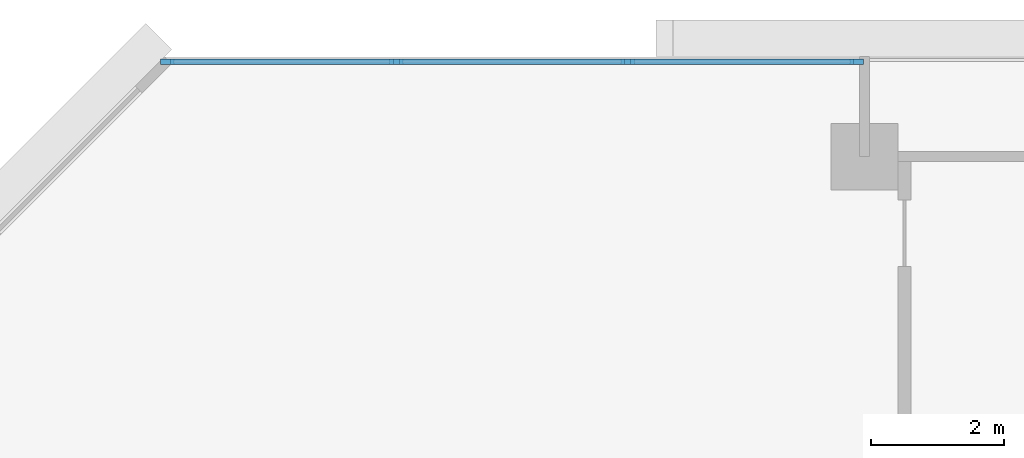
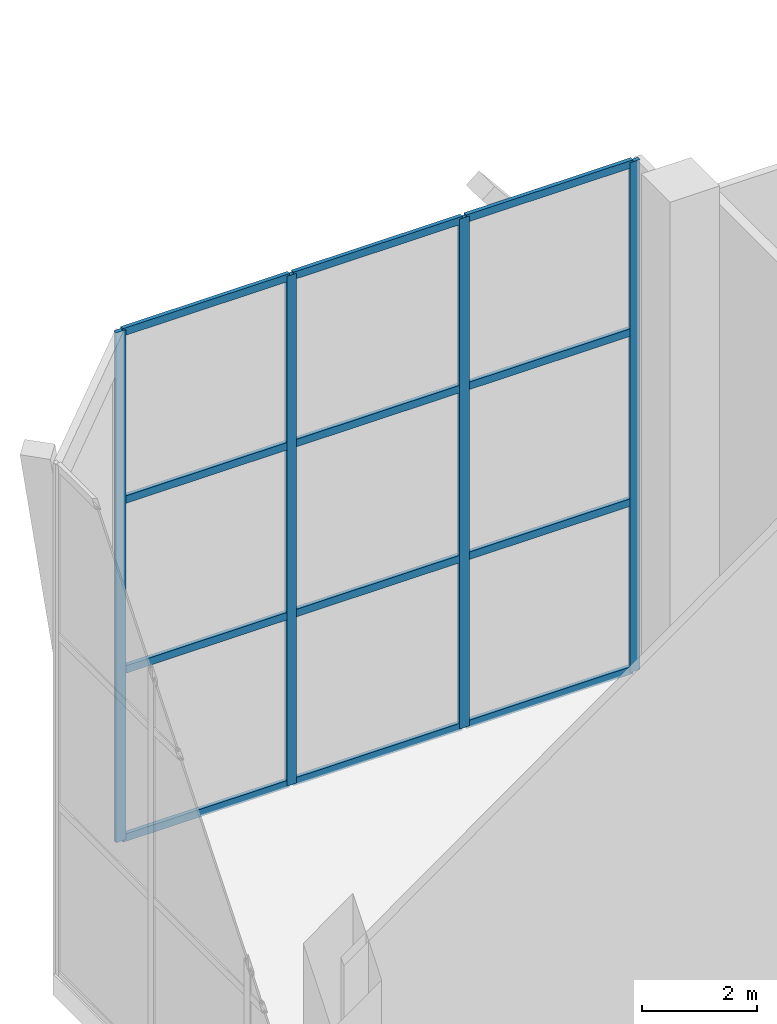
# One storey, part 9 of 21: 16 members, 1 element without a shape of its own.
"""IFC4 building model written with IfcOpenShell, lengths in metres."""

from ifc_helpers import new_model, si_unit, direction, frame, origin, origin_2d, place, context, subcontext, project, spatial, rectangle, extrude, material, layer, layer_set, material_profile, profile_set, type_object, element, aggregate, save


model = new_model("IFC4")

# Units and contexts
model_context = context("Model", 3, precision=1e-05, world=origin(), true_north=direction((0.0, 1.0)))
body_context = subcontext(model_context, "Body", "Model", "MODEL_VIEW")
ifc_project = project(units=[si_unit("LENGTHUNIT", "METRE"), si_unit("AREAUNIT", "SQUARE_METRE"), si_unit("VOLUMEUNIT", "CUBIC_METRE"), si_unit("PLANEANGLEUNIT", "RADIAN"), si_unit("MASSUNIT", "GRAM", prefix="KILO")], contexts=[model_context])

# Site, building, storey
site_placement = place(None, origin())
site = spatial("IfcSite", under=ifc_project, at=site_placement, CompositionType="ELEMENT")
building_placement = place(site_placement, origin())
building = spatial("IfcBuilding", under=site, at=building_placement, Name="Chenar Terraces", CompositionType="ELEMENT")
storey_placement = place(building_placement, frame((0.0, 0.0, 146.14990234375)))
storey = spatial("IfcBuildingStorey", under=building, at=storey_placement, Name="L34", CompositionType="ELEMENT", Elevation=146.14990234375)

# Curtain wall, members
ifc_material_1 = material(Name="Aluminium framed glazing", Category="aluminium")
ifc_layer = layer(ifc_material_1, 0.14990234375)
ifc_layer_set = layer_set([ifc_layer], Name="Aluminium framed glazing")
curtain_wall_type = type_object("IfcCurtainWallType", Name="Sky garden curtain wall", PredefinedType="NOTDEFINED", material=ifc_layer_set)
curtain_wall_placement = place(storey_placement, origin())
curtain_wall = element("IfcCurtainWall", 1, at=curtain_wall_placement, inside=storey, type_object=curtain_wall_type, Name="Sky garden curtain wall", PredefinedType="NOTDEFINED")
ifc_material_2 = material(Name="Aluminium", Category="aluminium")
ifc_material_profile_1 = material_profile(ifc_material_2, rectangle(XDim=0.080078125, YDim=0.199951171875, at=origin_2d()), Name="Sky garden mullion 80 x 200")
ifc_profile_set_1 = profile_set([ifc_material_profile_1], Name="Aluminium")
member_type_1 = type_object("IfcMemberType", Name="Sky garden mullion 80 x 200", PredefinedType="MULLION", material=ifc_profile_set_1)
member_1_placement = place(storey_placement, frame((11.885009765625, 64.425048828125, 0.0), z_axis=(0.0, 0.0, 1.0), x_axis=(0.0, -1.0, 0.0)))
member_1 = element("IfcMember", 2, at=member_1_placement, type_object=member_type_1, Name="CW3-03 mullion 1", PredefinedType="MULLION", context=body_context, shape_type="SweptSolid", body=[
    extrude(rectangle(XDim=0.080078125, YDim=0.199951171875, at=origin_2d()), origin(), (0.0, 0.0, 1.0), 10.85009765625),
])
member_2_placement = place(storey_placement, frame((8.449951171875, 64.425048828125, 0.0), z_axis=(0.0, 0.0, 1.0), x_axis=(0.0, -1.0, 0.0)))
member_2 = element("IfcMember", 3, at=member_2_placement, type_object=member_type_1, Name="CW3-03 mullion 2", PredefinedType="MULLION", context=body_context, shape_type="SweptSolid", body=[
    extrude(rectangle(XDim=0.080078125, YDim=0.199951171875, at=origin_2d()), origin(), (0.0, 0.0, 1.0), 10.85009765625),
])
member_3_placement = place(storey_placement, frame((4.97509765625, 64.425048828125, 0.0), z_axis=(0.0, 0.0, 1.0), x_axis=(0.0, -1.0, 0.0)))
member_3 = element("IfcMember", 4, at=member_3_placement, type_object=member_type_1, Name="CW3-03 mullion 3", PredefinedType="MULLION", context=body_context, shape_type="SweptSolid", body=[
    extrude(rectangle(XDim=0.080078125, YDim=0.199951171875, at=origin_2d()), origin(), (0.0, 0.0, 1.0), 10.85009765625),
])
member_4_placement = place(storey_placement, frame((1.5400390625, 64.425048828125, 0.0), z_axis=(0.0, 0.0, 1.0), x_axis=(0.0, -1.0, 0.0)))
member_4 = element("IfcMember", 5, at=member_4_placement, type_object=member_type_1, Name="CW3-03 mullion 4", PredefinedType="MULLION", context=body_context, shape_type="SweptSolid", body=[
    extrude(rectangle(XDim=0.080078125, YDim=0.199951171875, at=origin_2d()), origin(), (0.0, 0.0, 1.0), 10.85009765625),
])
ifc_material_3 = material(Name="Aluminium", Category="aluminium")
ifc_material_profile_2 = material_profile(ifc_material_3, rectangle(XDim=0.080078125, YDim=0.159912109375, at=origin_2d()), Name="Sky garden transom 80 x 160")
ifc_profile_set_2 = profile_set([ifc_material_profile_2], Name="Aluminium")
member_type_2 = type_object("IfcMemberType", Name="Sky garden transom 80 x 160", PredefinedType="USERDEFINED", material=ifc_profile_set_2)
member_5_placement = place(storey_placement, frame((11.844970703125, 64.425048828125, 0.0400390625), z_axis=(-1.0, 0.0, 0.0), x_axis=(0.0, -1.0, 0.0)))
member_5 = element("IfcMember", 6, at=member_5_placement, type_object=member_type_2, Name="CW3-03 transom 1.1", ObjectType="TRANSOM", PredefinedType="USERDEFINED", context=body_context, shape_type="SweptSolid", body=[
    extrude(rectangle(XDim=0.080078125, YDim=0.159912109375, at=origin_2d()), origin(), (0.0, 0.0, 1.0), 3.35498046875),
])
member_6_placement = place(storey_placement, frame((11.844970703125, 64.425048828125, 3.6171875), z_axis=(-1.0, 0.0, 0.0), x_axis=(0.0, -1.0, 0.0)))
member_6 = element("IfcMember", 7, at=member_6_placement, type_object=member_type_2, Name="CW3-03 transom 1.2", ObjectType="TRANSOM", PredefinedType="USERDEFINED", context=body_context, shape_type="SweptSolid", body=[
    extrude(rectangle(XDim=0.080078125, YDim=0.159912109375, at=origin_2d()), origin(), (0.0, 0.0, 1.0), 3.35498046875),
])
member_7_placement = place(storey_placement, frame((11.844970703125, 64.425048828125, 7.233154296875), z_axis=(-1.0, 0.0, 0.0), x_axis=(0.0, -1.0, 0.0)))
member_7 = element("IfcMember", 8, at=member_7_placement, type_object=member_type_2, Name="CW3-03 transom 1.3", ObjectType="TRANSOM", PredefinedType="USERDEFINED", context=body_context, shape_type="SweptSolid", body=[
    extrude(rectangle(XDim=0.080078125, YDim=0.159912109375, at=origin_2d()), origin(), (0.0, 0.0, 1.0), 3.35498046875),
])
member_8_placement = place(storey_placement, frame((11.844970703125, 64.425048828125, 10.81005859375), z_axis=(-1.0, 0.0, 0.0), x_axis=(0.0, -1.0, 0.0)))
member_8 = element("IfcMember", 9, at=member_8_placement, type_object=member_type_2, Name="CW3-03 transom 1.4", ObjectType="TRANSOM", PredefinedType="USERDEFINED", context=body_context, shape_type="SweptSolid", body=[
    extrude(rectangle(XDim=0.080078125, YDim=0.159912109375, at=origin_2d()), origin(), (0.0, 0.0, 1.0), 3.35498046875),
])
member_9_placement = place(storey_placement, frame((8.409912109375, 64.425048828125, 0.0400390625), z_axis=(-1.0, 0.0, 0.0), x_axis=(0.0, -1.0, 0.0)))
member_9 = element("IfcMember", 10, at=member_9_placement, type_object=member_type_2, Name="CW3-03 transom 2.1", ObjectType="TRANSOM", PredefinedType="USERDEFINED", context=body_context, shape_type="SweptSolid", body=[
    extrude(rectangle(XDim=0.080078125, YDim=0.159912109375, at=origin_2d()), origin(), (0.0, 0.0, 1.0), 3.39501953125),
])
member_10_placement = place(storey_placement, frame((8.409912109375, 64.425048828125, 3.6171875), z_axis=(-1.0, 0.0, 0.0), x_axis=(0.0, -1.0, 0.0)))
member_10 = element("IfcMember", 11, at=member_10_placement, type_object=member_type_2, Name="CW3-03 transom 2.2", ObjectType="TRANSOM", PredefinedType="USERDEFINED", context=body_context, shape_type="SweptSolid", body=[
    extrude(rectangle(XDim=0.080078125, YDim=0.159912109375, at=origin_2d()), origin(), (0.0, 0.0, 1.0), 3.39501953125),
])
member_11_placement = place(storey_placement, frame((8.409912109375, 64.425048828125, 7.233154296875), z_axis=(-1.0, 0.0, 0.0), x_axis=(0.0, -1.0, 0.0)))
member_11 = element("IfcMember", 12, at=member_11_placement, type_object=member_type_2, Name="CW3-03 transom 2.3", ObjectType="TRANSOM", PredefinedType="USERDEFINED", context=body_context, shape_type="SweptSolid", body=[
    extrude(rectangle(XDim=0.080078125, YDim=0.159912109375, at=origin_2d()), origin(), (0.0, 0.0, 1.0), 3.39501953125),
])
member_12_placement = place(storey_placement, frame((8.409912109375, 64.425048828125, 10.81005859375), z_axis=(-1.0, 0.0, 0.0), x_axis=(0.0, -1.0, 0.0)))
member_12 = element("IfcMember", 13, at=member_12_placement, type_object=member_type_2, Name="CW3-03 transom 2.4", ObjectType="TRANSOM", PredefinedType="USERDEFINED", context=body_context, shape_type="SweptSolid", body=[
    extrude(rectangle(XDim=0.080078125, YDim=0.159912109375, at=origin_2d()), origin(), (0.0, 0.0, 1.0), 3.39501953125),
])
member_13_placement = place(storey_placement, frame((4.93505859375, 64.425048828125, 0.0400390625), z_axis=(-1.0, 0.0, 0.0), x_axis=(0.0, -1.0, 0.0)))
member_13 = element("IfcMember", 14, at=member_13_placement, type_object=member_type_2, Name="CW3-03 transom 3.1", ObjectType="TRANSOM", PredefinedType="USERDEFINED", context=body_context, shape_type="SweptSolid", body=[
    extrude(rectangle(XDim=0.080078125, YDim=0.159912109375, at=origin_2d()), origin(), (0.0, 0.0, 1.0), 3.35498046875),
])
member_14_placement = place(storey_placement, frame((4.93505859375, 64.425048828125, 3.6171875), z_axis=(-1.0, 0.0, 0.0), x_axis=(0.0, -1.0, 0.0)))
member_14 = element("IfcMember", 15, at=member_14_placement, type_object=member_type_2, Name="CW3-03 transom 3.2", ObjectType="TRANSOM", PredefinedType="USERDEFINED", context=body_context, shape_type="SweptSolid", body=[
    extrude(rectangle(XDim=0.080078125, YDim=0.159912109375, at=origin_2d()), origin(), (0.0, 0.0, 1.0), 3.35498046875),
])
member_15_placement = place(storey_placement, frame((4.93505859375, 64.425048828125, 7.233154296875), z_axis=(-1.0, 0.0, 0.0), x_axis=(0.0, -1.0, 0.0)))
member_15 = element("IfcMember", 16, at=member_15_placement, type_object=member_type_2, Name="CW3-03 transom 3.3", ObjectType="TRANSOM", PredefinedType="USERDEFINED", context=body_context, shape_type="SweptSolid", body=[
    extrude(rectangle(XDim=0.080078125, YDim=0.159912109375, at=origin_2d()), origin(), (0.0, 0.0, 1.0), 3.35498046875),
])
member_16_placement = place(storey_placement, frame((4.93505859375, 64.425048828125, 10.81005859375), z_axis=(-1.0, 0.0, 0.0), x_axis=(0.0, -1.0, 0.0)))
member_16 = element("IfcMember", 17, at=member_16_placement, type_object=member_type_2, Name="CW3-03 transom 3.4", ObjectType="TRANSOM", PredefinedType="USERDEFINED", context=body_context, shape_type="SweptSolid", body=[
    extrude(rectangle(XDim=0.080078125, YDim=0.159912109375, at=origin_2d()), origin(), (0.0, 0.0, 1.0), 3.35498046875),
])
aggregate(curtain_wall, [member_1, member_2, member_3, member_4, member_5, member_6, member_7, member_8, member_9, member_10, member_11, member_12, member_13, member_14, member_15, member_16])

save(model, "model.ifc")
